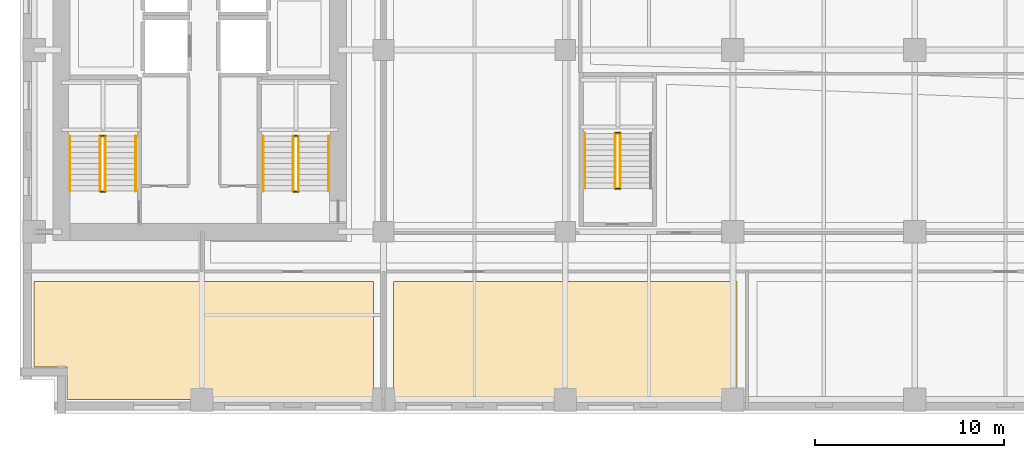
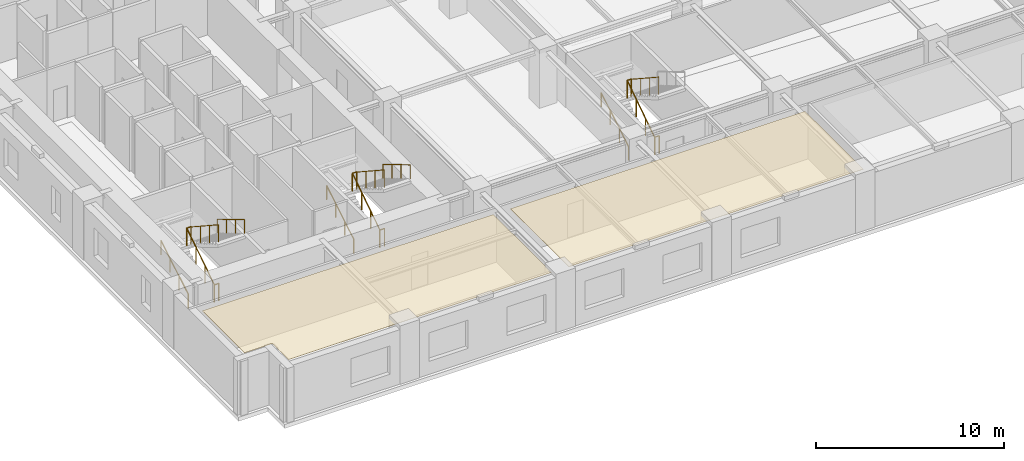
# One storey, part 9 of 13: 17 railings, 2 coverings.
"""IFC4 building model written with IfcOpenShell, lengths in metres."""

from ifc_helpers import new_model, si_unit, direction, frame, origin, origin_2d, place, context, subcontext, project, spatial, polyline, circle, outline, extrude, material, layer, layer_set, type_object, element, save


model = new_model("IFC4")

# Units and contexts
model_context = context("Model", 3, precision=1e-05, world=origin(), true_north=direction((0.0, 1.0)))
body_context = subcontext(model_context, "Body", "Model", "MODEL_VIEW")
ifc_project = project(units=[si_unit("LENGTHUNIT", "METRE"), si_unit("AREAUNIT", "SQUARE_METRE"), si_unit("VOLUMEUNIT", "CUBIC_METRE"), si_unit("PLANEANGLEUNIT", "RADIAN"), si_unit("MASSUNIT", "GRAM", prefix="KILO")], contexts=[model_context])

# Site, building, storey
site_placement = place(None, origin())
site = spatial("IfcSite", under=ifc_project, at=site_placement, CompositionType="ELEMENT")
building_placement = place(site_placement, origin())
building = spatial("IfcBuilding", under=site, at=building_placement, Name="Norrvale University Quadrangle", CompositionType="ELEMENT")
storey_placement = place(building_placement, frame((0.0, 0.0, 54.60009765625)))
storey = spatial("IfcBuildingStorey", under=building, at=storey_placement, Name="L13", CompositionType="ELEMENT", Elevation=54.60009765625)

# Coverings
ifc_material_1 = material(Name="Perforated Acoustic Mineral Ceiling")
ifc_layer = layer(ifc_material_1, 0.02490234375, Name="Perforated Acoustic Mineral Ceiling")
ifc_layer_set = layer_set([ifc_layer], Name="Perforated Acoustic Mineral Ceiling")
covering_type = type_object("IfcCoveringType", Name="Covering Acoustic Ceiling 25", PredefinedType="CEILING", material=ifc_layer_set)
covering_1_placement = place(storey_placement, frame((0.0, 0.0, 3.514892578125)))
element("IfcCovering", 1, at=covering_1_placement, inside=storey, type_object=covering_type, Name="Acoustic Ceiling RM-L13-S01", PredefinedType="CEILING", context=body_context, shape_type="SweptSolid", body=[
    extrude(outline(polyline([(0.75, 6.969970703125), (18.669921875, 6.969970703125), (18.669921875, 0.75), (2.469970703125, 0.75), (2.469970703125, 2.469970703125), (0.75, 2.469970703125), (0.75, 6.969970703125)])), origin(), (0.0, 0.0, 1.0), 0.02490234375),
])
covering_2_placement = place(storey_placement, frame((0.0, 0.0, 3.514892578125)))
element("IfcCovering", 2, at=covering_2_placement, inside=storey, type_object=covering_type, Name="Acoustic Ceiling RM-L13-S02", PredefinedType="CEILING", context=body_context, shape_type="SweptSolid", body=[
    extrude(outline(polyline([(19.72998046875, 6.969970703125), (37.8701171875, 6.969970703125), (37.8701171875, 0.75), (19.72998046875, 0.75), (19.72998046875, 6.969970703125)])), origin(), (0.0, 0.0, 1.0), 0.02490234375),
])

# Railings
ifc_material_2 = material(Name="Steel 350W Painted Balustrade", Category="steel")
railing_type_1 = type_object("IfcRailingType", Name="Railing Stair Guard 1100", PredefinedType="GUARDRAIL", material=ifc_material_2)
for number, where, name in (
    (3, (4.239990234375, 11.719970703125, 0.0), "Stair Floor Well Guard ST-01 L13"),
    (4, (4.239990234375, 14.679931640625, 1.89990234375), "Stair Mid-Landing Slot Guard ST-01 L13"),
):
    element("IfcRailing", number, at=place(storey_placement, frame(where)), inside=storey, type_object=railing_type_1, Name=name, PredefinedType="GUARDRAIL", context=body_context, shape_type="SweptSolid", body=[
        extrude(circle(Radius=0.02392578125, at=origin_2d()), frame((0.0, 0.0, 1.1259765625), z_axis=(1.0, 0.0, 0.0), x_axis=(0.0, 1.0, 0.0)), (0.0, 0.0, 1.0), 0.27001953125),
        extrude(circle(Radius=0.02099609375, at=origin_2d()), origin(), (0.0, 0.0, 1.0), 1.101806640625),
        extrude(circle(Radius=0.02099609375, at=origin_2d()), frame((0.27001953125, 0.0, 0.0)), (0.0, 0.0, 1.0), 1.101806640625),
    ])
railing_1_placement = place(storey_placement, frame((4.239990234375, 11.75, 0.0)))
element("IfcRailing", 5, at=railing_1_placement, inside=storey, type_object=railing_type_1, Name="Stair Lower Flight Inner Guard ST-01 L13", PredefinedType="GUARDRAIL", context=body_context, shape_type="SweptSolid", body=[
    extrude(circle(Radius=0.02392578125, at=origin_2d()), frame((0.0, 0.0, 1.1259765625), z_axis=(0.0, 0.836465582154, 0.548019461216), x_axis=(-1.0, 0.0, 0.0)), (0.0, 0.0, 1.0), 3.466796875),
    extrude(circle(Radius=0.02099609375, at=origin_2d()), origin(), (0.0, 0.0, 1.0), 1.101806640625),
    extrude(circle(Radius=0.02099609375, at=origin_2d()), frame((0.0, 0.966552734375, 0.63330078125)), (0.0, 0.0, 1.0), 1.101806640625),
    extrude(circle(Radius=0.02099609375, at=origin_2d()), frame((0.0, 1.933349609375, 1.2666015625)), (0.0, 0.0, 1.0), 1.101806640625),
    extrude(circle(Radius=0.02099609375, at=origin_2d()), frame((0.0, 2.89990234375, 1.89990234375)), (0.0, 0.0, 1.0), 1.101806640625),
])
railing_2_placement = place(storey_placement, frame((4.510009765625, 14.64990234375, 1.89990234375)))
element("IfcRailing", 6, at=railing_2_placement, inside=storey, type_object=railing_type_1, Name="Stair Upper Flight Inner Guard ST-01 L13", PredefinedType="GUARDRAIL", context=body_context, shape_type="SweptSolid", body=[
    extrude(circle(Radius=0.02392578125, at=origin_2d()), frame((0.0, 0.0, 1.1259765625), z_axis=(0.0, -0.836465582154, 0.548019461216), x_axis=(1.0, 0.0, 0.0)), (0.0, 0.0, 1.0), 3.466796875),
    extrude(circle(Radius=0.02099609375, at=origin_2d()), origin(), (0.0, 0.0, 1.0), 1.101806640625),
    extrude(circle(Radius=0.02099609375, at=origin_2d()), frame((0.0, -0.966552734375, 0.63330078125)), (0.0, 0.0, 1.0), 1.101806640625),
    extrude(circle(Radius=0.02099609375, at=origin_2d()), frame((0.0, -1.933349609375, 1.2666015625)), (0.0, 0.0, 1.0), 1.101806640625),
    extrude(circle(Radius=0.02099609375, at=origin_2d()), frame((0.0, -2.89990234375, 1.89990234375)), (0.0, 0.0, 1.0), 1.101806640625),
])
for number, where, name in (
    (7, (14.43994140625, 11.719970703125, 0.0), "Stair Floor Well Guard ST-03 L13"),
    (8, (14.43994140625, 14.679931640625, 1.89990234375), "Stair Mid-Landing Slot Guard ST-03 L13"),
):
    element("IfcRailing", number, at=place(storey_placement, frame(where)), inside=storey, type_object=railing_type_1, Name=name, PredefinedType="GUARDRAIL", context=body_context, shape_type="SweptSolid", body=[
        extrude(circle(Radius=0.02392578125, at=origin_2d()), frame((0.0, 0.0, 1.1259765625), z_axis=(1.0, 0.0, 0.0), x_axis=(0.0, 1.0, 0.0)), (0.0, 0.0, 1.0), 0.27001953125),
        extrude(circle(Radius=0.02099609375, at=origin_2d()), origin(), (0.0, 0.0, 1.0), 1.101806640625),
        extrude(circle(Radius=0.02099609375, at=origin_2d()), frame((0.27001953125, 0.0, 0.0)), (0.0, 0.0, 1.0), 1.101806640625),
    ])
railing_3_placement = place(storey_placement, frame((14.43994140625, 11.75, 0.0)))
element("IfcRailing", 9, at=railing_3_placement, inside=storey, type_object=railing_type_1, Name="Stair Lower Flight Inner Guard ST-03 L13", PredefinedType="GUARDRAIL", context=body_context, shape_type="SweptSolid", body=[
    extrude(circle(Radius=0.02392578125, at=origin_2d()), frame((0.0, 0.0, 1.1259765625), z_axis=(0.0, 0.836465582154, 0.548019461216), x_axis=(-1.0, 0.0, 0.0)), (0.0, 0.0, 1.0), 3.466796875),
    extrude(circle(Radius=0.02099609375, at=origin_2d()), origin(), (0.0, 0.0, 1.0), 1.101806640625),
    extrude(circle(Radius=0.02099609375, at=origin_2d()), frame((0.0, 0.966552734375, 0.63330078125)), (0.0, 0.0, 1.0), 1.101806640625),
    extrude(circle(Radius=0.02099609375, at=origin_2d()), frame((0.0, 1.933349609375, 1.2666015625)), (0.0, 0.0, 1.0), 1.101806640625),
    extrude(circle(Radius=0.02099609375, at=origin_2d()), frame((0.0, 2.89990234375, 1.89990234375)), (0.0, 0.0, 1.0), 1.101806640625),
])
railing_4_placement = place(storey_placement, frame((14.7099609375, 14.64990234375, 1.89990234375)))
element("IfcRailing", 10, at=railing_4_placement, inside=storey, type_object=railing_type_1, Name="Stair Upper Flight Inner Guard ST-03 L13", PredefinedType="GUARDRAIL", context=body_context, shape_type="SweptSolid", body=[
    extrude(circle(Radius=0.02392578125, at=origin_2d()), frame((0.0, 0.0, 1.1259765625), z_axis=(0.0, -0.836465582154, 0.548019461216), x_axis=(1.0, 0.0, 0.0)), (0.0, 0.0, 1.0), 3.466796875),
    extrude(circle(Radius=0.02099609375, at=origin_2d()), origin(), (0.0, 0.0, 1.0), 1.101806640625),
    extrude(circle(Radius=0.02099609375, at=origin_2d()), frame((0.0, -0.966552734375, 0.63330078125)), (0.0, 0.0, 1.0), 1.101806640625),
    extrude(circle(Radius=0.02099609375, at=origin_2d()), frame((0.0, -1.933349609375, 1.2666015625)), (0.0, 0.0, 1.0), 1.101806640625),
    extrude(circle(Radius=0.02099609375, at=origin_2d()), frame((0.0, -2.89990234375, 1.89990234375)), (0.0, 0.0, 1.0), 1.101806640625),
])
for number, where, name in (
    (11, (31.43994140625, 11.8701171875, 0.0), "Stair Floor Well Guard ST-04 L13"),
    (12, (31.43994140625, 14.830078125, 1.89990234375), "Stair Mid-Landing Slot Guard ST-04 L13"),
):
    element("IfcRailing", number, at=place(storey_placement, frame(where)), inside=storey, type_object=railing_type_1, Name=name, PredefinedType="GUARDRAIL", context=body_context, shape_type="SweptSolid", body=[
        extrude(circle(Radius=0.02392578125, at=origin_2d()), frame((0.0, 0.0, 1.1259765625), z_axis=(1.0, 0.0, 0.0), x_axis=(0.0, 1.0, 0.0)), (0.0, 0.0, 1.0), 0.27001953125),
        extrude(circle(Radius=0.02099609375, at=origin_2d()), origin(), (0.0, 0.0, 1.0), 1.101806640625),
        extrude(circle(Radius=0.02099609375, at=origin_2d()), frame((0.27001953125, 0.0, 0.0)), (0.0, 0.0, 1.0), 1.101806640625),
    ])
railing_5_placement = place(storey_placement, frame((31.43994140625, 11.89990234375, 0.0)))
element("IfcRailing", 13, at=railing_5_placement, inside=storey, type_object=railing_type_1, Name="Stair Lower Flight Inner Guard ST-04 L13", PredefinedType="GUARDRAIL", context=body_context, shape_type="SweptSolid", body=[
    extrude(circle(Radius=0.02392578125, at=origin_2d()), frame((0.0, 0.0, 1.1259765625), z_axis=(0.0, 0.836486729621, 0.547987181573), x_axis=(-1.0, 0.0, 0.0)), (0.0, 0.0, 1.0), 3.467041015625),
    extrude(circle(Radius=0.02099609375, at=origin_2d()), origin(), (0.0, 0.0, 1.0), 1.101806640625),
    extrude(circle(Radius=0.02099609375, at=origin_2d()), frame((0.0, 0.966796875, 0.63330078125)), (0.0, 0.0, 1.0), 1.101806640625),
    extrude(circle(Radius=0.02099609375, at=origin_2d()), frame((0.0, 1.933349609375, 1.2666015625)), (0.0, 0.0, 1.0), 1.101806640625),
    extrude(circle(Radius=0.02099609375, at=origin_2d()), frame((0.0, 2.900146484375, 1.89990234375)), (0.0, 0.0, 1.0), 1.101806640625),
])
railing_6_placement = place(storey_placement, frame((31.7099609375, 14.800048828125, 1.89990234375)))
element("IfcRailing", 14, at=railing_6_placement, inside=storey, type_object=railing_type_1, Name="Stair Upper Flight Inner Guard ST-04 L13", PredefinedType="GUARDRAIL", context=body_context, shape_type="SweptSolid", body=[
    extrude(circle(Radius=0.02392578125, at=origin_2d()), frame((0.0, 0.0, 1.1259765625), z_axis=(0.0, -0.836486729621, 0.547987181573), x_axis=(1.0, 0.0, 0.0)), (0.0, 0.0, 1.0), 3.467041015625),
    extrude(circle(Radius=0.02099609375, at=origin_2d()), origin(), (0.0, 0.0, 1.0), 1.101806640625),
    extrude(circle(Radius=0.02099609375, at=origin_2d()), frame((0.0, -0.966796875, 0.63330078125)), (0.0, 0.0, 1.0), 1.101806640625),
    extrude(circle(Radius=0.02099609375, at=origin_2d()), frame((0.0, -1.933349609375, 1.2666015625)), (0.0, 0.0, 1.0), 1.101806640625),
    extrude(circle(Radius=0.02099609375, at=origin_2d()), frame((0.0, -2.900146484375, 1.89990234375)), (0.0, 0.0, 1.0), 1.101806640625),
])
ifc_material_3 = material(Name="Stainless Steel 316L Handrail", Category="steel")
railing_type_2 = type_object("IfcRailingType", Name="Railing Stair Handrail 920", PredefinedType="HANDRAIL", material=ifc_material_3)
railing_7_placement = place(storey_placement, frame((2.639892578125, 11.75, 0.172607421875)))
element("IfcRailing", 15, at=railing_7_placement, inside=storey, type_object=railing_type_2, Name="Stair Lower Flight Handrail ST-01 L13", PredefinedType="HANDRAIL", context=body_context, shape_type="SweptSolid", body=[
    extrude(circle(Radius=0.02392578125, at=origin_2d()), frame((0.0, 0.0, 0.89599609375), z_axis=(0.0, 0.859141464434, 0.511738159696), x_axis=(-1.0, 0.0, 0.0)), (0.0, 0.0, 1.0), 3.375244140625),
    extrude(circle(Radius=0.02099609375, at=origin_2d()), origin(), (0.0, 0.0, 1.0), 0.871826171875),
    extrude(circle(Radius=0.02099609375, at=origin_2d()), frame((0.0, 0.966552734375, 0.57568359375)), (0.0, 0.0, 1.0), 0.871826171875),
    extrude(circle(Radius=0.02099609375, at=origin_2d()), frame((0.0, 1.933349609375, 1.151611328125)), (0.0, 0.0, 1.0), 0.871826171875),
    extrude(circle(Radius=0.02099609375, at=origin_2d()), frame((0.0, 2.89990234375, 1.727294921875)), (0.0, 0.0, 1.0), 0.871826171875),
])
railing_8_placement = place(storey_placement, frame((6.110107421875, 14.64990234375, 2.072509765625)))
element("IfcRailing", 16, at=railing_8_placement, inside=storey, type_object=railing_type_2, Name="Stair Upper Flight Handrail ST-01 L13", PredefinedType="HANDRAIL", context=body_context, shape_type="SweptSolid", body=[
    extrude(circle(Radius=0.02392578125, at=origin_2d()), frame((0.0, 0.0, 0.89599609375), z_axis=(0.0, -0.859141464434, 0.511738159696), x_axis=(1.0, 0.0, 0.0)), (0.0, 0.0, 1.0), 3.375244140625),
    extrude(circle(Radius=0.02099609375, at=origin_2d()), origin(), (0.0, 0.0, 1.0), 0.871826171875),
    extrude(circle(Radius=0.02099609375, at=origin_2d()), frame((0.0, -0.966552734375, 0.57568359375)), (0.0, 0.0, 1.0), 0.871826171875),
    extrude(circle(Radius=0.02099609375, at=origin_2d()), frame((0.0, -1.933349609375, 1.151611328125)), (0.0, 0.0, 1.0), 0.871826171875),
    extrude(circle(Radius=0.02099609375, at=origin_2d()), frame((0.0, -2.89990234375, 1.727294921875)), (0.0, 0.0, 1.0), 0.871826171875),
])
railing_9_placement = place(storey_placement, frame((12.840087890625, 11.75, 0.172607421875)))
element("IfcRailing", 17, at=railing_9_placement, inside=storey, type_object=railing_type_2, Name="Stair Lower Flight Handrail ST-03 L13", PredefinedType="HANDRAIL", context=body_context, shape_type="SweptSolid", body=[
    extrude(circle(Radius=0.02392578125, at=origin_2d()), frame((0.0, 0.0, 0.89599609375), z_axis=(0.0, 0.859141464434, 0.511738159696), x_axis=(-1.0, 0.0, 0.0)), (0.0, 0.0, 1.0), 3.375244140625),
    extrude(circle(Radius=0.02099609375, at=origin_2d()), origin(), (0.0, 0.0, 1.0), 0.871826171875),
    extrude(circle(Radius=0.02099609375, at=origin_2d()), frame((0.0, 0.966552734375, 0.57568359375)), (0.0, 0.0, 1.0), 0.871826171875),
    extrude(circle(Radius=0.02099609375, at=origin_2d()), frame((0.0, 1.933349609375, 1.151611328125)), (0.0, 0.0, 1.0), 0.871826171875),
    extrude(circle(Radius=0.02099609375, at=origin_2d()), frame((0.0, 2.89990234375, 1.727294921875)), (0.0, 0.0, 1.0), 0.871826171875),
])
railing_10_placement = place(storey_placement, frame((16.31005859375, 14.64990234375, 2.072509765625)))
element("IfcRailing", 18, at=railing_10_placement, inside=storey, type_object=railing_type_2, Name="Stair Upper Flight Handrail ST-03 L13", PredefinedType="HANDRAIL", context=body_context, shape_type="SweptSolid", body=[
    extrude(circle(Radius=0.02392578125, at=origin_2d()), frame((0.0, 0.0, 0.89599609375), z_axis=(0.0, -0.859141464434, 0.511738159696), x_axis=(1.0, 0.0, 0.0)), (0.0, 0.0, 1.0), 3.375244140625),
    extrude(circle(Radius=0.02099609375, at=origin_2d()), origin(), (0.0, 0.0, 1.0), 0.871826171875),
    extrude(circle(Radius=0.02099609375, at=origin_2d()), frame((0.0, -0.966552734375, 0.57568359375)), (0.0, 0.0, 1.0), 0.871826171875),
    extrude(circle(Radius=0.02099609375, at=origin_2d()), frame((0.0, -1.933349609375, 1.151611328125)), (0.0, 0.0, 1.0), 0.871826171875),
    extrude(circle(Radius=0.02099609375, at=origin_2d()), frame((0.0, -2.89990234375, 1.727294921875)), (0.0, 0.0, 1.0), 0.871826171875),
])
railing_11_placement = place(storey_placement, frame((29.840087890625, 11.89990234375, 0.172607421875)))
element("IfcRailing", 19, at=railing_11_placement, inside=storey, type_object=railing_type_2, Name="Stair Lower Flight Handrail ST-04 L13", PredefinedType="HANDRAIL", context=body_context, shape_type="SweptSolid", body=[
    extrude(circle(Radius=0.02392578125, at=origin_2d()), frame((0.0, 0.0, 0.89599609375), z_axis=(0.0, 0.859160404282, 0.51170636083), x_axis=(-1.0, 0.0, 0.0)), (0.0, 0.0, 1.0), 3.37548828125),
    extrude(circle(Radius=0.02099609375, at=origin_2d()), origin(), (0.0, 0.0, 1.0), 0.871826171875),
    extrude(circle(Radius=0.02099609375, at=origin_2d()), frame((0.0, 0.966796875, 0.57568359375)), (0.0, 0.0, 1.0), 0.871826171875),
    extrude(circle(Radius=0.02099609375, at=origin_2d()), frame((0.0, 1.933349609375, 1.151611328125)), (0.0, 0.0, 1.0), 0.871826171875),
    extrude(circle(Radius=0.02099609375, at=origin_2d()), frame((0.0, 2.900146484375, 1.727294921875)), (0.0, 0.0, 1.0), 0.871826171875),
])

save(model, "model.ifc")
